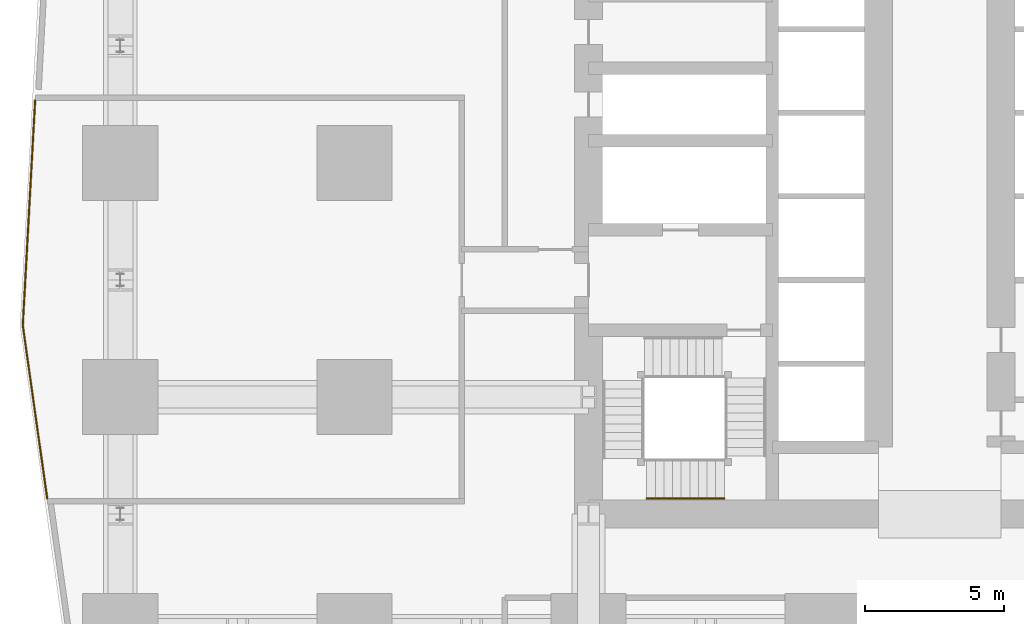
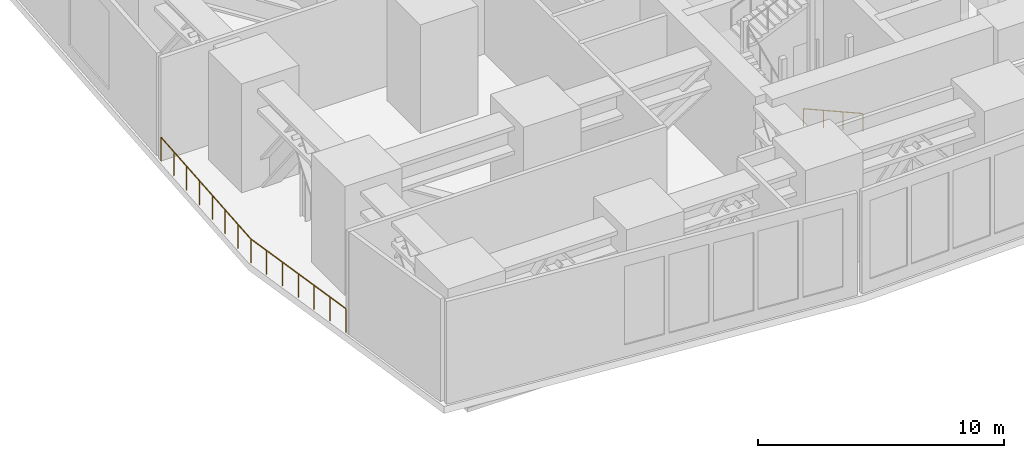
# One storey, part 14 of 16: 2 railings.
"""IFC4 building model written with IfcOpenShell, lengths in metres."""

from ifc_helpers import new_model, si_unit, direction, frame, origin, origin_2d, place, context, subcontext, project, spatial, circle, extrude, material, type_object, element, save


model = new_model("IFC4")

# Units and contexts
model_context = context("Model", 3, precision=1e-05, world=origin(), true_north=direction((0.0, 1.0)))
body_context = subcontext(model_context, "Body", "Model", "MODEL_VIEW")
ifc_project = project(units=[si_unit("LENGTHUNIT", "METRE"), si_unit("AREAUNIT", "SQUARE_METRE"), si_unit("VOLUMEUNIT", "CUBIC_METRE"), si_unit("PLANEANGLEUNIT", "RADIAN"), si_unit("MASSUNIT", "GRAM", prefix="KILO")], contexts=[model_context])

# Site, building, storey
site_placement = place(None, origin())
site = spatial("IfcSite", under=ifc_project, at=site_placement, CompositionType="ELEMENT")
building_placement = place(site_placement, origin())
building = spatial("IfcBuilding", under=site, at=building_placement, Name="Rekha Terrace Tower", CompositionType="ELEMENT")
storey_placement = place(building_placement, frame((0.0, 0.0, 162.800048828125)))
storey = spatial("IfcBuildingStorey", under=building, at=storey_placement, Name="L41", CompositionType="ELEMENT", Elevation=162.800048828125)

# Railings
ifc_material_1 = material(Name="Steel guard with vertical balusters", Category="steel")
railing_type_1 = type_object("IfcRailingType", Name="GR2 refuge area guard 1200", PredefinedType="GUARDRAIL", material=ifc_material_1)
railing_1_placement = place(storey_placement, frame((5.77587890625, 21.56103515625, 0.0)))
element("IfcRailing", 1, at=railing_1_placement, inside=storey, type_object=railing_type_1, Name="Refuge area guard L41", PredefinedType="GUARDRAIL", context=body_context, shape_type="SweptSolid", body=[
    extrude(circle(Radius=0.02392578125, at=origin_2d()), frame((0.0, 0.0, 1.17578125), z_axis=(-0.13965558579, 0.990200140051, 0.0), x_axis=(-0.990200140051, -0.13965558579, 0.0)), (0.0, 0.0, 1.0), 6.2724609375),
    extrude(circle(Radius=0.02392578125, at=origin_2d()), frame((-0.8759765625, 6.2109375, 1.17578125), z_axis=(0.054819285843, 0.998496292382, 0.0), x_axis=(-0.998496292382, 0.054819285843, 0.0)), (0.0, 0.0, 1.0), 8.083251953125),
    extrude(circle(Radius=0.02099609375, at=origin_2d()), origin(), (0.0, 0.0, 1.0), 1.15185546875),
    extrude(circle(Radius=0.02099609375, at=origin_2d()), frame((-0.14599609375, 1.03515625, 0.0)), (0.0, 0.0, 1.0), 1.15185546875),
    extrude(circle(Radius=0.02099609375, at=origin_2d()), frame((-0.2919921875, 2.0703125, 0.0)), (0.0, 0.0, 1.0), 1.15185546875),
    extrude(circle(Radius=0.02099609375, at=origin_2d()), frame((-0.43798828125, 3.10546875, 0.0)), (0.0, 0.0, 1.0), 1.15185546875),
    extrude(circle(Radius=0.02099609375, at=origin_2d()), frame((-0.583984375, 4.140625, 0.0)), (0.0, 0.0, 1.0), 1.15185546875),
    extrude(circle(Radius=0.02099609375, at=origin_2d()), frame((-0.72998046875, 5.17578125, 0.0)), (0.0, 0.0, 1.0), 1.15185546875),
    extrude(circle(Radius=0.02099609375, at=origin_2d()), frame((-0.8759765625, 6.2109375, 0.0)), (0.0, 0.0, 1.0), 1.15185546875),
    extrude(circle(Radius=0.02099609375, at=origin_2d()), frame((-0.812744140625, 7.364013671875, 0.0)), (0.0, 0.0, 1.0), 1.15185546875),
    extrude(circle(Radius=0.02099609375, at=origin_2d()), frame((-0.749267578125, 8.516845703125, 0.0)), (0.0, 0.0, 1.0), 1.15185546875),
    extrude(circle(Radius=0.02099609375, at=origin_2d()), frame((-0.68603515625, 9.669921875, 0.0)), (0.0, 0.0, 1.0), 1.15185546875),
    extrude(circle(Radius=0.02099609375, at=origin_2d()), frame((-0.622802734375, 10.822998046875, 0.0)), (0.0, 0.0, 1.0), 1.15185546875),
    extrude(circle(Radius=0.02099609375, at=origin_2d()), frame((-0.5595703125, 11.97607421875, 0.0)), (0.0, 0.0, 1.0), 1.15185546875),
    extrude(circle(Radius=0.02099609375, at=origin_2d()), frame((-0.49609375, 13.12890625, 0.0)), (0.0, 0.0, 1.0), 1.15185546875),
    extrude(circle(Radius=0.02099609375, at=origin_2d()), frame((-0.432861328125, 14.281982421875, 0.0)), (0.0, 0.0, 1.0), 1.15185546875),
])
ifc_material_2 = material(Name="Stainless steel tube", Category="steel")
railing_type_2 = type_object("IfcRailingType", Name="HR1 900 stair handrail", PredefinedType="HANDRAIL", material=ifc_material_2)
railing_2_placement = place(storey_placement, frame((30.074951171875, 21.56005859375, 1.48486328125)))
element("IfcRailing", 2, at=railing_2_placement, inside=storey, type_object=railing_type_2, Name="Handrail ST1 L41 flight 2", PredefinedType="HANDRAIL", context=body_context, shape_type="SweptSolid", body=[
    extrude(circle(Radius=0.02392578125, at=origin_2d()), frame((0.0, 0.0, 0.8759765625), z_axis=(-0.916826272601, 0.0, 0.399286345707), x_axis=(0.0, -1.0, 0.0)), (0.0, 0.0, 1.0), 3.043212890625),
    extrude(circle(Radius=0.02099609375, at=origin_2d()), origin(), (0.0, 0.0, 1.0), 0.851806640625),
    extrude(circle(Radius=0.02099609375, at=origin_2d()), frame((-0.929931640625, 0.0, 0.405029296875)), (0.0, 0.0, 1.0), 0.851806640625),
    extrude(circle(Radius=0.02099609375, at=origin_2d()), frame((-1.860107421875, 0.0, 0.81005859375)), (0.0, 0.0, 1.0), 0.851806640625),
    extrude(circle(Radius=0.02099609375, at=origin_2d()), frame((-2.7900390625, 0.0, 1.215087890625)), (0.0, 0.0, 1.0), 0.851806640625),
])

save(model, "model.ifc")
